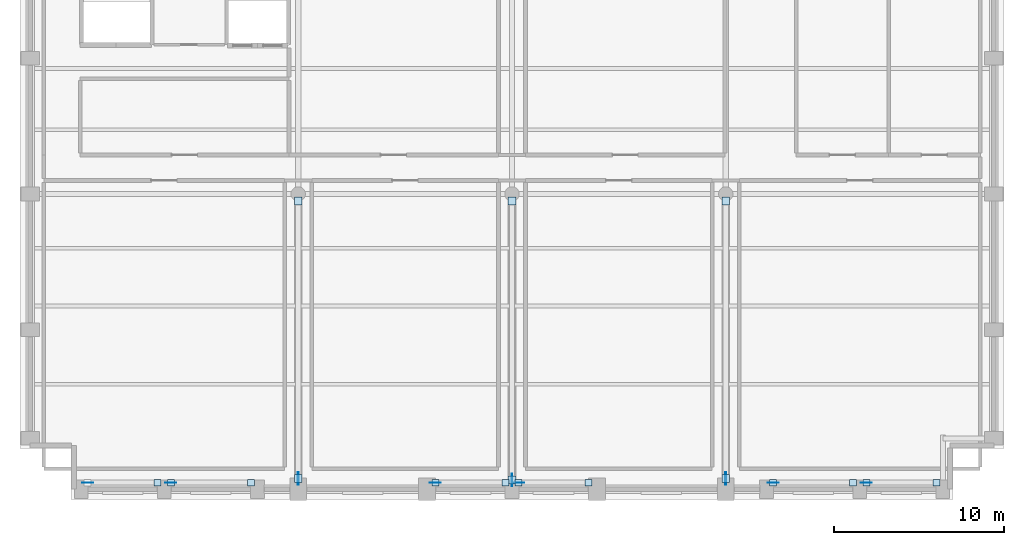
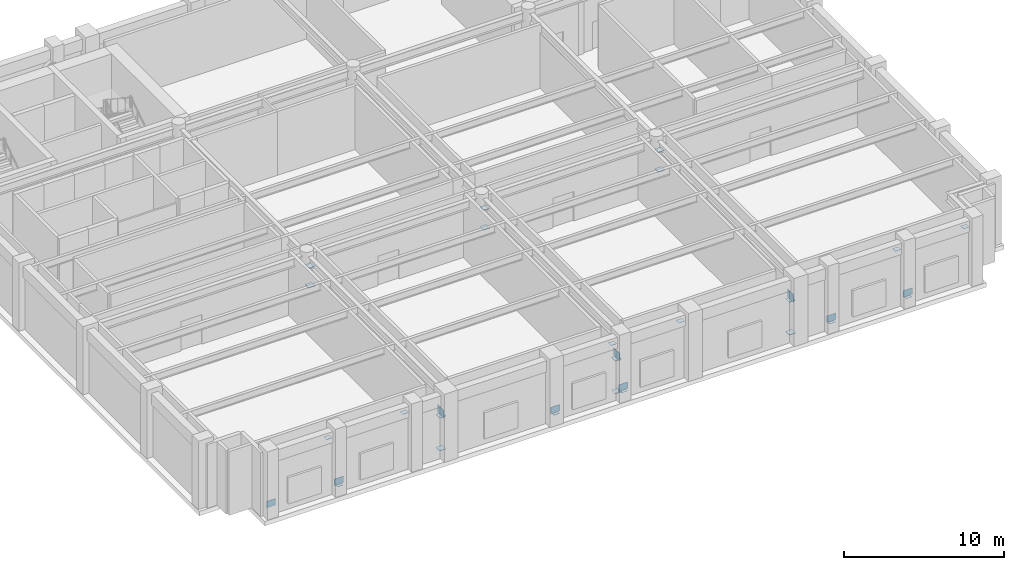
# One storey, part 3 of 11: 32 plates.
"""IFC4 building model written with IfcOpenShell, lengths in metres."""

from ifc_helpers import new_model, si_unit, direction, frame, origin, origin_2d, place, context, subcontext, project, spatial, rectangle, extrude, material, layer, layer_set, type_object, element, save


model = new_model("IFC4")

# Units and contexts
model_context = context("Model", 3, precision=1e-05, world=origin(), true_north=direction((0.0, 1.0)))
body_context = subcontext(model_context, "Body", "Model", "MODEL_VIEW")
ifc_project = project(units=[si_unit("LENGTHUNIT", "METRE"), si_unit("AREAUNIT", "SQUARE_METRE"), si_unit("VOLUMEUNIT", "CUBIC_METRE"), si_unit("PLANEANGLEUNIT", "RADIAN"), si_unit("MASSUNIT", "GRAM", prefix="KILO")], contexts=[model_context])

# Site, building, storey
site_placement = place(None, origin())
site = spatial("IfcSite", under=ifc_project, at=site_placement, CompositionType="ELEMENT")
building_placement = place(site_placement, origin())
building = spatial("IfcBuilding", under=site, at=building_placement, Name="Sulina Concourse Tower", CompositionType="ELEMENT")
storey_placement = place(building_placement, frame((0.0, 0.0, 160.60009765625)))
storey = spatial("IfcBuildingStorey", under=building, at=storey_placement, Name="L39", CompositionType="ELEMENT", Elevation=160.60009765625)

# Plates
ifc_material_1 = material(Name="Steel S355", Category="steel")
ifc_layer_1 = layer(ifc_material_1, 0.02490234375)
ifc_layer_set_1 = layer_set([ifc_layer_1], Name="Steel S355")
plate_type_1 = type_object("IfcPlateType", Name="Belt Truss Node Gusset Plate 25mm", PredefinedType="USERDEFINED", material=ifc_layer_set_1)
for number, where, z_axis, x_axis, name in (
    (1, (3.989990234375, 0.97998046875, 0.199951171875), (0.0, 0.0, 1.0), (1.0, 0.0, 0.0), "BLT-S1-L39 node gusset plate"),
    (2, (8.889892578125, 0.97998046875, 0.199951171875), (0.0, 0.0, 1.0), (1.0, 0.0, 0.0), "BLT-S2-L39 node gusset plate"),
    (3, (24.489990234375, 0.97998046875, 0.199951171875), (0.0, 0.0, 1.0), (1.0, 0.0, 0.0), "BLT-S3-L39 node gusset plate"),
    (4, (29.389892578125, 0.97998046875, 0.199951171875), (0.0, 0.0, 1.0), (1.0, 0.0, 0.0), "BLT-S4-L39 node gusset plate"),
    (5, (44.389892578125, 0.97998046875, 0.199951171875), (0.0, 0.0, 1.0), (1.0, 0.0, 0.0), "BLT-S5-L39 node gusset plate"),
    (6, (49.889892578125, 0.97998046875, 0.199951171875), (0.0, 0.0, 1.0), (1.0, 0.0, 0.0), "BLT-S6-L39 node gusset plate"),
):
    element("IfcPlate", number, at=place(storey_placement, frame(where, z_axis=z_axis, x_axis=x_axis)), inside=storey, type_object=plate_type_1, Name=name, ObjectType="GUSSET_PLATE", PredefinedType="USERDEFINED", context=body_context, shape_type="SweptSolid", body=[
        extrude(rectangle(XDim=0.64990234375, YDim=0.02490234375, at=origin_2d()), origin(), (0.0, 0.0, 1.0), 0.5),
    ])
ifc_material_2 = material(Name="Steel S355", Category="steel")
ifc_layer_2 = layer(ifc_material_2, 0.028076171875)
ifc_layer_set_2 = layer_set([ifc_layer_2], Name="Steel S355")
plate_type_2 = type_object("IfcPlateType", Name="Medium Hollow Section End-Cap Plate 28mm", PredefinedType="USERDEFINED", material=ifc_layer_set_2)
for number, where, z_axis, x_axis, name in (
    (7, (16.39990234375, 1.239990234375, 2.6357421875), (0.0, 0.0, 1.0), (1.0, 0.0, 0.0), "OUT-ST-W1-L39 end cap plate 1"),
    (8, (16.39990234375, 17.5849609375, 2.6357421875), (0.0, 0.0, 1.0), (1.0, 0.0, 0.0), "OUT-ST-W1-L39 end cap plate 2"),
    (9, (16.39990234375, 1.239990234375, 0.1357421875), (0.0, 0.0, 1.0), (1.0, 0.0, 0.0), "OUT-DG-W1-L39 end cap plate 1"),
    (10, (16.39990234375, 17.5849609375, 4.1357421875), (0.0, 0.0, 1.0), (1.0, 0.0, 0.0), "OUT-DG-W1-L39 end cap plate 2"),
    (11, (29.0, 1.139892578125, 2.6357421875), (0.0, 0.0, 1.0), (1.0, 0.0, 0.0), "OUT-ST-M1-L39 end cap plate 1"),
    (12, (29.0, 17.5849609375, 2.6357421875), (0.0, 0.0, 1.0), (1.0, 0.0, 0.0), "OUT-ST-M1-L39 end cap plate 2"),
    (13, (29.0, 1.139892578125, 0.1357421875), (0.0, 0.0, 1.0), (1.0, 0.0, 0.0), "OUT-DG-M1-L39 end cap plate 1"),
    (14, (29.0, 17.5849609375, 4.1357421875), (0.0, 0.0, 1.0), (1.0, 0.0, 0.0), "OUT-DG-M1-L39 end cap plate 2"),
    (15, (41.60009765625, 1.239990234375, 2.6357421875), (0.0, 0.0, 1.0), (1.0, 0.0, 0.0), "OUT-ST-E1-L39 end cap plate 1"),
    (16, (41.60009765625, 17.5849609375, 2.6357421875), (0.0, 0.0, 1.0), (1.0, 0.0, 0.0), "OUT-ST-E1-L39 end cap plate 2"),
    (17, (41.60009765625, 1.239990234375, 0.1357421875), (0.0, 0.0, 1.0), (1.0, 0.0, 0.0), "OUT-DG-E1-L39 end cap plate 1"),
    (18, (41.60009765625, 17.5849609375, 4.1357421875), (0.0, 0.0, 1.0), (1.0, 0.0, 0.0), "OUT-DG-E1-L39 end cap plate 2"),
):
    element("IfcPlate", number, at=place(storey_placement, frame(where, z_axis=z_axis, x_axis=x_axis)), inside=storey, type_object=plate_type_2, Name=name, ObjectType="CAP_PLATE", PredefinedType="USERDEFINED", context=body_context, shape_type="SweptSolid", body=[
        extrude(rectangle(XDim=0.4599609375, YDim=0.4599609375, at=origin_2d()), origin(), (0.0, 0.0, 1.0), 0.028076171875),
    ])
ifc_material_3 = material(Name="Steel S355", Category="steel")
ifc_layer_3 = layer(ifc_material_3, 0.031982421875)
ifc_layer_set_3 = layer_set([ifc_layer_3], Name="Steel S355")
plate_type_3 = type_object("IfcPlateType", Name="Outrigger Truss Gusset Plate 32mm", PredefinedType="USERDEFINED", material=ifc_layer_set_3)
for number, where, z_axis, x_axis, name in (
    (19, (16.39990234375, 1.239990234375, 2.64990234375), (0.0, 0.0, 1.0), (1.0, 0.0, 0.0), "OUT-ST-W1-L39 node gusset plate"),
    (20, (29.0, 1.139892578125, 2.64990234375), (0.0, 0.0, 1.0), (1.0, 0.0, 0.0), "OUT-ST-M1-L39 node gusset plate"),
    (21, (41.60009765625, 1.239990234375, 2.64990234375), (0.0, 0.0, 1.0), (1.0, 0.0, 0.0), "OUT-ST-E1-L39 node gusset plate"),
):
    element("IfcPlate", number, at=place(storey_placement, frame(where, z_axis=z_axis, x_axis=x_axis)), inside=storey, type_object=plate_type_3, Name=name, ObjectType="GUSSET_PLATE", PredefinedType="USERDEFINED", context=body_context, shape_type="SweptSolid", body=[
        extrude(rectangle(XDim=0.031982421875, YDim=0.75, at=origin_2d()), origin(), (0.0, 0.0, 1.0), 0.60009765625),
    ])
ifc_material_4 = material(Name="Steel S355", Category="steel")
ifc_layer_4 = layer(ifc_material_4, 0.02001953125)
ifc_layer_set_4 = layer_set([ifc_layer_4], Name="Steel S355")
plate_type_4 = type_object("IfcPlateType", Name="Upper Hollow Brace End-Cap Plate 20mm", PredefinedType="USERDEFINED", material=ifc_layer_set_4)
for number, where, z_axis, x_axis, name in (
    (22, (8.110107421875, 0.97998046875, 4.010009765625), (0.0, 0.0, 1.0), (1.0, 0.0, 0.0), "BLT-S1-L39 end cap plate 2"),
    (23, (8.889892578125, 0.97998046875, 0.139892578125), (0.0, 0.0, 1.0), (1.0, 0.0, 0.0), "BLT-S2-L39 end cap plate 1"),
    (24, (13.610107421875, 0.97998046875, 4.010009765625), (0.0, 0.0, 1.0), (1.0, 0.0, 0.0), "BLT-S2-L39 end cap plate 2"),
    (25, (24.489990234375, 0.97998046875, 0.139892578125), (0.0, 0.0, 1.0), (1.0, 0.0, 0.0), "BLT-S3-L39 end cap plate 1"),
    (26, (28.610107421875, 0.97998046875, 4.010009765625), (0.0, 0.0, 1.0), (1.0, 0.0, 0.0), "BLT-S3-L39 end cap plate 2"),
    (27, (29.389892578125, 0.97998046875, 0.139892578125), (0.0, 0.0, 1.0), (1.0, 0.0, 0.0), "BLT-S4-L39 end cap plate 1"),
    (28, (33.510009765625, 0.97998046875, 4.010009765625), (0.0, 0.0, 1.0), (1.0, 0.0, 0.0), "BLT-S4-L39 end cap plate 2"),
    (29, (44.389892578125, 0.97998046875, 0.139892578125), (0.0, 0.0, 1.0), (1.0, 0.0, 0.0), "BLT-S5-L39 end cap plate 1"),
    (30, (49.110107421875, 0.97998046875, 4.010009765625), (0.0, 0.0, 1.0), (1.0, 0.0, 0.0), "BLT-S5-L39 end cap plate 2"),
    (31, (49.889892578125, 0.97998046875, 0.139892578125), (0.0, 0.0, 1.0), (1.0, 0.0, 0.0), "BLT-S6-L39 end cap plate 1"),
    (32, (54.010009765625, 0.97998046875, 4.010009765625), (0.0, 0.0, 1.0), (1.0, 0.0, 0.0), "BLT-S6-L39 end cap plate 2"),
):
    element("IfcPlate", number, at=place(storey_placement, frame(where, z_axis=z_axis, x_axis=x_axis)), inside=storey, type_object=plate_type_4, Name=name, ObjectType="CAP_PLATE", PredefinedType="USERDEFINED", context=body_context, shape_type="SweptSolid", body=[
        extrude(rectangle(XDim=0.409912109375, YDim=0.360107421875, at=origin_2d()), origin(), (0.0, 0.0, 1.0), 0.02001953125),
    ])

save(model, "model.ifc")
